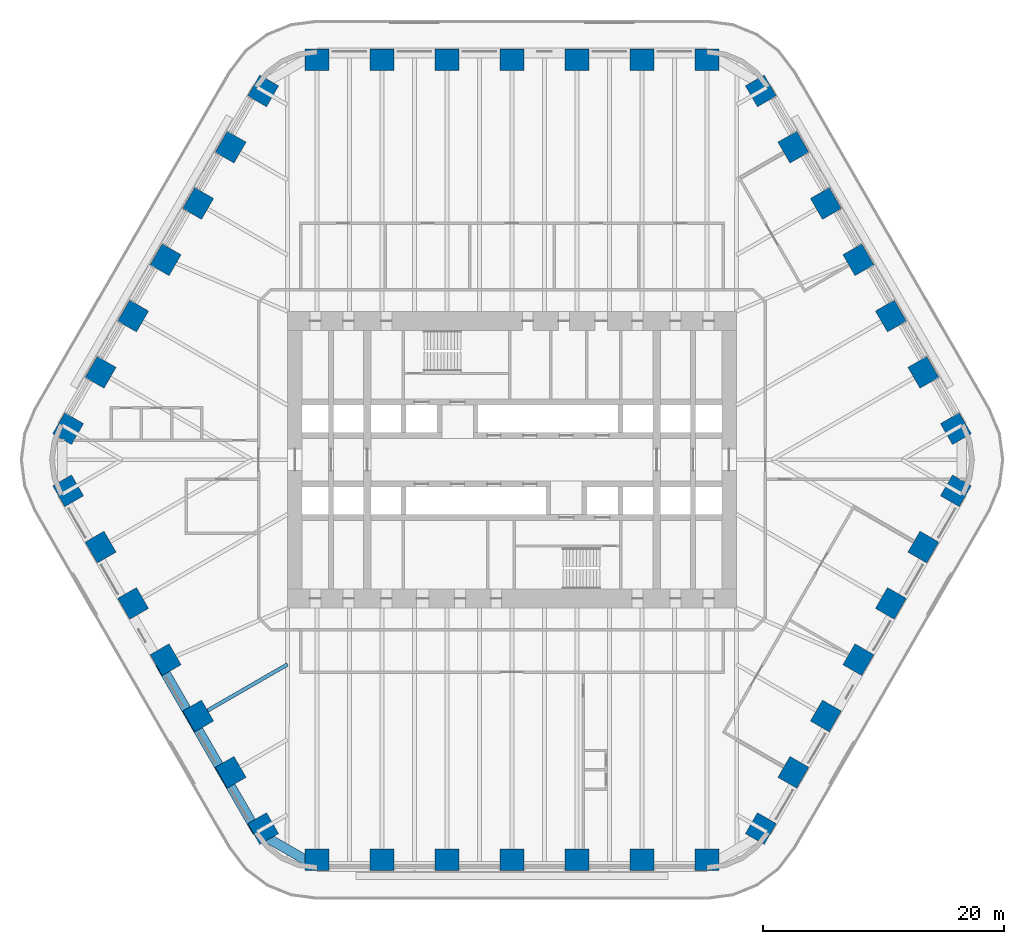
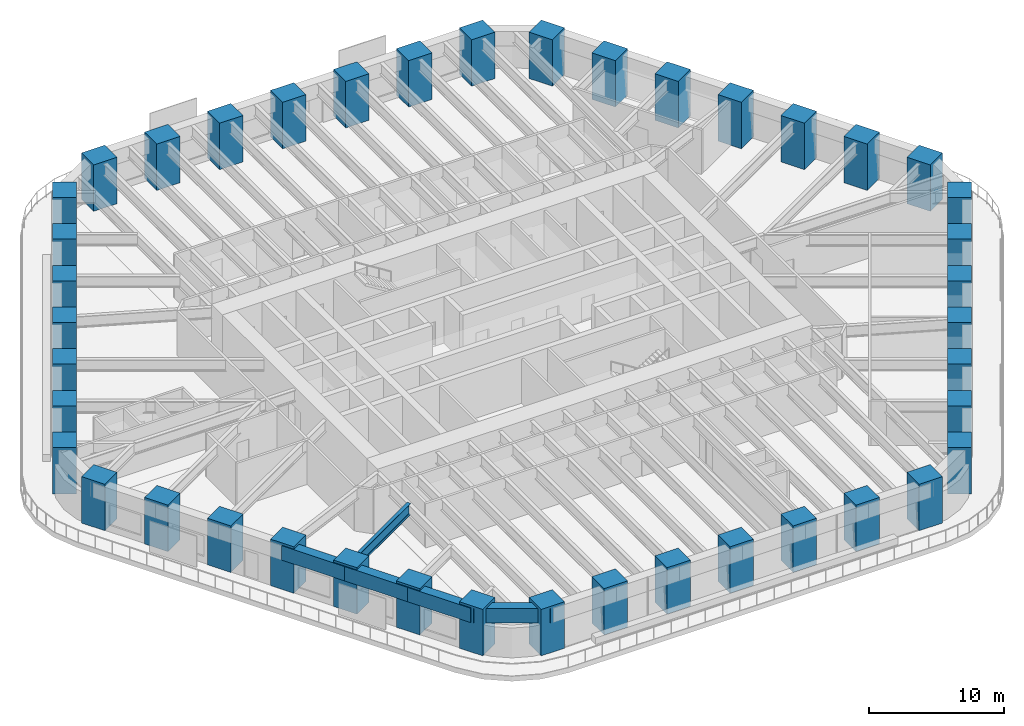
# One storey, part 1 of 23: 42 columns, 5 beams.
"""IFC4 building model written with IfcOpenShell, lengths in metres."""

from ifc_helpers import new_model, si_unit, direction, frame, origin, origin_2d, place, context, subcontext, project, spatial, rectangle, i_section, extrude, material, material_profile, profile_set, type_object, element, save


model = new_model("IFC4")

# Units and contexts
model_context = context("Model", 3, precision=1e-05, world=origin(), true_north=direction((0.0, 1.0)))
body_context = subcontext(model_context, "Body", "Model", "MODEL_VIEW")
ifc_project = project(units=[si_unit("LENGTHUNIT", "METRE"), si_unit("AREAUNIT", "SQUARE_METRE"), si_unit("VOLUMEUNIT", "CUBIC_METRE"), si_unit("PLANEANGLEUNIT", "RADIAN"), si_unit("MASSUNIT", "GRAM", prefix="KILO")], contexts=[model_context])

# Site, building, storey
site_placement = place(None, origin())
site = spatial("IfcSite", under=ifc_project, at=site_placement, CompositionType="ELEMENT")
building_placement = place(site_placement, origin())
building = spatial("IfcBuilding", under=site, at=building_placement, Name="Tarfa Lantern Tower", CompositionType="ELEMENT")
storey_placement = place(building_placement, frame((0.0, 0.0, 57.10009765625)))
storey = spatial("IfcBuildingStorey", under=building, at=storey_placement, Name="L12", CompositionType="ELEMENT", Elevation=57.10009765625)

# Columns
ifc_material_1 = material(Name="Concrete C80/95", Category="concrete")
ifc_material_profile_1 = material_profile(ifc_material_1, rectangle(XDim=2.0, YDim=1.800048828125, at=origin_2d()), Name="RC 2000x1800")
ifc_profile_set_1 = profile_set([ifc_material_profile_1], Name="Concrete C80/95")
column_type = type_object("IfcColumnType", Name="TC2 RC 2000x1800", PredefinedType="COLUMN", material=ifc_profile_set_1)
for number, where, z_axis, x_axis, name in (
    (1, (36.791748046875, 2.574951171875, 0.0), (0.0, 0.0, 1.0), (-0.5, 0.866025403784, 0.0), "Tube column NE0"),
    (2, (34.097412109375, 7.24169921875, 0.0), (0.0, 0.0, 1.0), (-0.5, 0.866025403784, 0.0), "Tube column NE1"),
    (3, (31.403076171875, 11.908447265625, 0.0), (0.0, 0.0, 1.0), (-0.5, 0.866025403784, 0.0), "Tube column NE2"),
    (4, (28.708740234375, 16.574951171875, 0.0), (0.0, 0.0, 1.0), (-0.5, 0.866025403784, 0.0), "Tube column NE3"),
    (5, (26.014404296875, 21.24169921875, 0.0), (0.0, 0.0, 1.0), (-0.5, 0.866025403784, 0.0), "Tube column NE4"),
    (6, (23.320068359375, 25.908447265625, 0.0), (0.0, 0.0, 1.0), (-0.5, 0.866025403784, 0.0), "Tube column NE5"),
    (7, (20.625732421875, 30.574951171875, 0.0), (0.0, 0.0, 1.0), (-0.5, 0.866025403784, 0.0), "Tube column NE6"),
    (8, (16.165771484375, 33.14990234375, 0.0), (0.0, 0.0, 1.0), (-1.0, 0.0, 0.0), "Tube column N0"),
    (9, (10.777099609375, 33.14990234375, 0.0), (0.0, 0.0, 1.0), (-1.0, 0.0, 0.0), "Tube column N1"),
    (10, (5.388671875, 33.14990234375, 0.0), (0.0, 0.0, 1.0), (-1.0, 0.0, 0.0), "Tube column N2"),
    (11, (0.0, 33.14990234375, 0.0), (0.0, 0.0, 1.0), (-1.0, 0.0, 0.0), "Tube column N3"),
    (12, (-5.388671875, 33.14990234375, 0.0), (0.0, 0.0, 1.0), (-1.0, 0.0, 0.0), "Tube column N4"),
    (13, (-10.777099609375, 33.14990234375, 0.0), (0.0, 0.0, 1.0), (-1.0, 0.0, 0.0), "Tube column N5"),
    (14, (-16.165771484375, 33.14990234375, 0.0), (0.0, 0.0, 1.0), (-1.0, 0.0, 0.0), "Tube column N6"),
    (15, (-20.625732421875, 30.574951171875, 0.0), (0.0, 0.0, 1.0), (-0.5, -0.866025403784, 0.0), "Tube column NW0"),
    (16, (-23.320068359375, 25.908447265625, 0.0), (0.0, 0.0, 1.0), (-0.5, -0.866025403784, 0.0), "Tube column NW1"),
    (17, (-26.014404296875, 21.24169921875, 0.0), (0.0, 0.0, 1.0), (-0.5, -0.866025403784, 0.0), "Tube column NW2"),
    (18, (-28.708740234375, 16.574951171875, 0.0), (0.0, 0.0, 1.0), (-0.5, -0.866025403784, 0.0), "Tube column NW3"),
    (19, (-31.403076171875, 11.908447265625, 0.0), (0.0, 0.0, 1.0), (-0.5, -0.866025403784, 0.0), "Tube column NW4"),
    (20, (-34.097412109375, 7.24169921875, 0.0), (0.0, 0.0, 1.0), (-0.5, -0.866025403784, 0.0), "Tube column NW5"),
    (21, (-36.791748046875, 2.574951171875, 0.0), (0.0, 0.0, 1.0), (-0.5, -0.866025403784, 0.0), "Tube column NW6"),
    (22, (-36.791748046875, -2.574951171875, 0.0), (0.0, 0.0, 1.0), (0.5, -0.866025403784, 0.0), "Tube column SW0"),
    (23, (-34.097412109375, -7.24169921875, 0.0), (0.0, 0.0, 1.0), (0.5, -0.866025403784, 0.0), "Tube column SW1"),
    (24, (-31.403076171875, -11.908447265625, 0.0), (0.0, 0.0, 1.0), (0.5, -0.866025403784, 0.0), "Tube column SW2"),
    (25, (-28.708740234375, -16.574951171875, 0.0), (0.0, 0.0, 1.0), (0.5, -0.866025403784, 0.0), "Tube column SW3"),
    (26, (-26.014404296875, -21.24169921875, 0.0), (0.0, 0.0, 1.0), (0.5, -0.866025403784, 0.0), "Tube column SW4"),
    (27, (-23.320068359375, -25.908447265625, 0.0), (0.0, 0.0, 1.0), (0.5, -0.866025403784, 0.0), "Tube column SW5"),
    (28, (-20.625732421875, -30.574951171875, 0.0), (0.0, 0.0, 1.0), (0.5, -0.866025403784, 0.0), "Tube column SW6"),
    (29, (-16.165771484375, -33.14990234375, 0.0), (0.0, 0.0, 1.0), (1.0, 0.0, 0.0), "Tube column S0"),
    (30, (-10.777099609375, -33.14990234375, 0.0), (0.0, 0.0, 1.0), (1.0, 0.0, 0.0), "Tube column S1"),
    (31, (-5.388671875, -33.14990234375, 0.0), (0.0, 0.0, 1.0), (1.0, 0.0, 0.0), "Tube column S2"),
    (32, (0.0, -33.14990234375, 0.0), (0.0, 0.0, 1.0), (1.0, 0.0, 0.0), "Tube column S3"),
    (33, (5.388671875, -33.14990234375, 0.0), (0.0, 0.0, 1.0), (1.0, 0.0, 0.0), "Tube column S4"),
    (34, (10.777099609375, -33.14990234375, 0.0), (0.0, 0.0, 1.0), (1.0, 0.0, 0.0), "Tube column S5"),
    (35, (16.165771484375, -33.14990234375, 0.0), (0.0, 0.0, 1.0), (1.0, 0.0, 0.0), "Tube column S6"),
    (36, (20.625732421875, -30.574951171875, 0.0), (0.0, 0.0, 1.0), (0.5, 0.866025403784, 0.0), "Tube column SE0"),
    (37, (23.320068359375, -25.908447265625, 0.0), (0.0, 0.0, 1.0), (0.5, 0.866025403784, 0.0), "Tube column SE1"),
    (38, (26.014404296875, -21.24169921875, 0.0), (0.0, 0.0, 1.0), (0.5, 0.866025403784, 0.0), "Tube column SE2"),
    (39, (28.708740234375, -16.574951171875, 0.0), (0.0, 0.0, 1.0), (0.5, 0.866025403784, 0.0), "Tube column SE3"),
    (40, (31.403076171875, -11.908447265625, 0.0), (0.0, 0.0, 1.0), (0.5, 0.866025403784, 0.0), "Tube column SE4"),
    (41, (34.097412109375, -7.24169921875, 0.0), (0.0, 0.0, 1.0), (0.5, 0.866025403784, 0.0), "Tube column SE5"),
    (42, (36.791748046875, -2.574951171875, 0.0), (0.0, 0.0, 1.0), (0.5, 0.866025403784, 0.0), "Tube column SE6"),
):
    element("IfcColumn", number, at=place(storey_placement, frame(where, z_axis=z_axis, x_axis=x_axis)), inside=storey, type_object=column_type, Name=name, PredefinedType="COLUMN", context=body_context, shape_type="SweptSolid", body=[
        extrude(rectangle(XDim=2.0, YDim=1.800048828125, at=origin_2d()), origin(), (0.0, 0.0, 1.0), 4.199951171875),
    ])

# Beams
ifc_material_profile_2 = material_profile(ifc_material_1, rectangle(XDim=0.800048828125, YDim=1.300048828125, at=origin_2d()), Name="RC 800x1300")
ifc_profile_set_2 = profile_set([ifc_material_profile_2], Name="Concrete C80/95")
beam_type_1 = type_object("IfcBeamType", Name="EB1 RC 800x1300", PredefinedType="SPANDREL", material=ifc_profile_set_2)
beam_1_placement = place(storey_placement, frame((-29.202392578125, -16.860107421875, 3.349853515625), z_axis=(0.500017906299, -0.866015065331, 0.0), x_axis=(0.866015065331, 0.500017906299, 0.0)))
element("IfcBeam", 43, at=beam_1_placement, inside=storey, type_object=beam_type_1, Name="Edge beam SW3", PredefinedType="SPANDREL", context=body_context, shape_type="SweptSolid", body=[
    extrude(rectangle(XDim=0.800048828125, YDim=1.300048828125, at=origin_2d()), origin(), (0.0, 0.0, 1.0), 5.388427734375),
])
for number, where, z_axis, x_axis, name in (
    (44, (-26.508056640625, -21.526611328125, 3.349853515625), (0.499998287579, -0.866026392449, 0.0), (0.866026392449, 0.499998287579, 0.0), "Edge beam SW4"),
    (45, (-23.813720703125, -26.193359375, 3.349853515625), (0.499998287579, -0.866026392449, 0.0), (0.866026392449, 0.499998287579, 0.0), "Edge beam SW5"),
):
    element("IfcBeam", number, at=place(storey_placement, frame(where, z_axis=z_axis, x_axis=x_axis)), inside=storey, type_object=beam_type_1, Name=name, PredefinedType="SPANDREL", context=body_context, shape_type="SweptSolid", body=[
        extrude(rectangle(XDim=0.800048828125, YDim=1.300048828125, at=origin_2d()), origin(), (0.0, 0.0, 1.0), 5.388671875),
    ])
beam_2_placement = place(storey_placement, frame((-21.119384765625, -30.860107421875, 3.349853515625), z_axis=(0.866033479681, -0.499986011877, 0.0), x_axis=(0.499986011877, 0.866033479681, 0.0)))
element("IfcBeam", 46, at=beam_2_placement, inside=storey, type_object=beam_type_1, Name="Edge beam SW6", PredefinedType="SPANDREL", context=body_context, shape_type="SweptSolid", body=[
    extrude(rectangle(XDim=0.800048828125, YDim=1.300048828125, at=origin_2d()), origin(), (0.0, 0.0, 1.0), 5.719970703125),
])
ifc_material_2 = material(Name="Steel S460M", Category="steel")
ifc_material_profile_3 = material_profile(ifc_material_2, i_section(OverallWidth=0.302001953125, OverallDepth=1.008056640625, WebThickness=0.02099609375, FlangeThickness=0.0400390625, FilletRadius=0.030029296875, at=origin_2d()), Name="UB1016x305x349")
ifc_profile_set_3 = profile_set([ifc_material_profile_3], Name="Steel S460M")
beam_type_2 = type_object("IfcBeamType", Name="UB1016x305x349", PredefinedType="BEAM", material=ifc_profile_set_3)
beam_3_placement = place(storey_placement, frame((-26.508056640625, -21.526611328125, 3.495849609375), z_axis=(0.866035355799, 0.49998276221, 0.0), x_axis=(-0.49998276221, 0.866035355799, 0.0)))
element("IfcBeam", 47, at=beam_3_placement, inside=storey, type_object=beam_type_2, Name="Floor beam SW4", PredefinedType="BEAM", context=body_context, shape_type="SweptSolid", body=[
    extrude(i_section(OverallWidth=0.302001953125, OverallDepth=1.008056640625, WebThickness=0.02099609375, FlangeThickness=0.0400390625, FilletRadius=0.030029296875, at=origin_2d()), origin(), (0.0, 0.0, 1.0), 9.119873046875),
])

save(model, "model.ifc")
